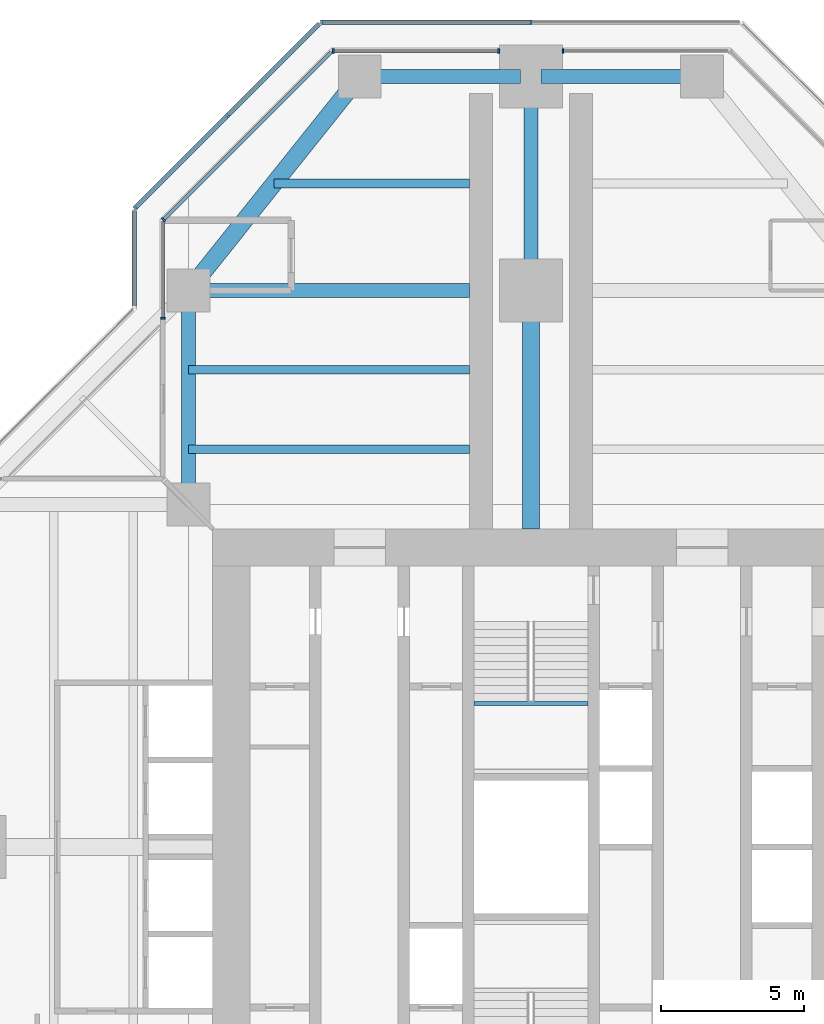
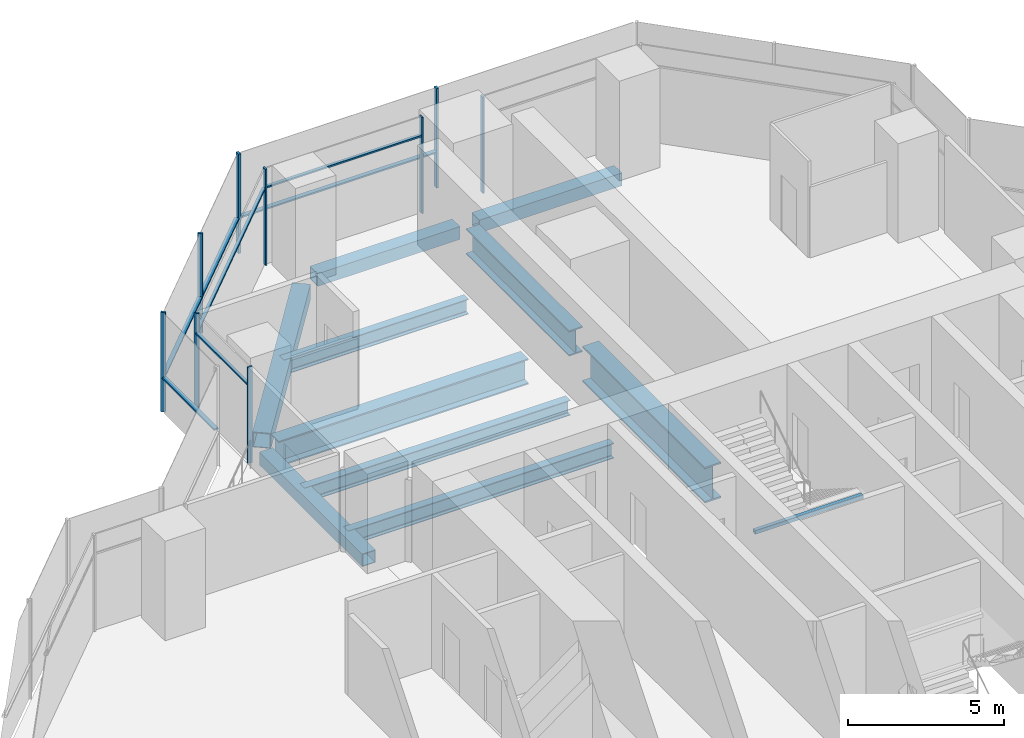
# One storey, part 7 of 17: 16 members, 11 beams, 7 elements without a shape of their own.
"""IFC4 building model written with IfcOpenShell, lengths in metres."""

from ifc_helpers import new_model, si_unit, direction, frame, origin, origin_2d, place, context, subcontext, project, spatial, rectangle, hollow_rectangle, i_section, extrude, material, material_profile, profile_set, type_object, element, aggregate, save


model = new_model("IFC4")

# Units and contexts
model_context = context("Model", 3, precision=1e-05, world=origin(), true_north=direction((0.0, 1.0)))
body_context = subcontext(model_context, "Body", "Model", "MODEL_VIEW")
ifc_project = project(units=[si_unit("LENGTHUNIT", "METRE"), si_unit("AREAUNIT", "SQUARE_METRE"), si_unit("VOLUMEUNIT", "CUBIC_METRE"), si_unit("PLANEANGLEUNIT", "RADIAN"), si_unit("MASSUNIT", "GRAM", prefix="KILO")], contexts=[model_context])

# Site, building, storey
site_placement = place(None, origin())
site = spatial("IfcSite", under=ifc_project, at=site_placement, CompositionType="ELEMENT")
building_placement = place(site_placement, origin())
building = spatial("IfcBuilding", under=site, at=building_placement, Name="Mizan Broadcast Tower", CompositionType="ELEMENT")
storey_placement = place(building_placement, frame((0.0, 0.0, 255.60009765625)))
storey = spatial("IfcBuildingStorey", under=building, at=storey_placement, Name="L60", CompositionType="ELEMENT", Elevation=255.60009765625)

# Beams
ifc_material_1 = material(Name="Steel S355", Category="steel")
ifc_material_profile_1 = material_profile(ifc_material_1, hollow_rectangle(XDim=0.5, YDim=0.5, WallThickness=0.030029296875, at=origin_2d()), Name="BOX 500x500x30")
ifc_profile_set_1 = profile_set([ifc_material_profile_1], Name="Steel S355")
beam_type_1 = type_object("IfcBeamType", Name="EDGE BEAM BOX 500x500x30", PredefinedType="SPANDREL", material=ifc_profile_set_1)
beam_1_placement = place(storey_placement, frame((5.639892578125, 27.0, -0.380126953125), z_axis=(-1.0, 0.0, 0.0), x_axis=(0.0, -1.0, 0.0)))
element("IfcBeam", 1, at=beam_1_placement, inside=storey, type_object=beam_type_1, Name="Edge beam BOX 500x500x30 L60 north arm", PredefinedType="SPANDREL", context=body_context, shape_type="SweptSolid", body=[
    extrude(hollow_rectangle(XDim=0.5, YDim=0.5, WallThickness=0.030029296875, at=origin_2d()), origin(), (0.0, 0.0, 1.0), 5.27978515625),
])
beam_2_placement = place(storey_placement, frame((-12.0, 12.449951171875, -0.380126953125), z_axis=(0.0, 1.0, 0.0), x_axis=(-1.0, 0.0, 0.0)))
element("IfcBeam", 2, at=beam_2_placement, inside=storey, type_object=beam_type_1, Name="Edge beam BOX 500x500x30 L60 north arm", PredefinedType="SPANDREL", context=body_context, shape_type="SweptSolid", body=[
    extrude(hollow_rectangle(XDim=0.5, YDim=0.5, WallThickness=0.030029296875, at=origin_2d()), origin(), (0.0, 0.0, 1.0), 6.60009765625),
])
beam_3_placement = place(storey_placement, frame((-5.639892578125, 27.0, -0.380126953125), z_axis=(1.0, 0.0, 0.0), x_axis=(0.0, 1.0, 0.0)))
element("IfcBeam", 3, at=beam_3_placement, inside=storey, type_object=beam_type_1, Name="Edge beam BOX 500x500x30 L60 north arm", PredefinedType="SPANDREL", context=body_context, shape_type="SweptSolid", body=[
    extrude(hollow_rectangle(XDim=0.5, YDim=0.5, WallThickness=0.030029296875, at=origin_2d()), origin(), (0.0, 0.0, 1.0), 5.27978515625),
])
ifc_material_2 = material(Name="Steel S355", Category="steel")
ifc_material_profile_2 = material_profile(ifc_material_2, hollow_rectangle(XDim=0.60009765625, YDim=0.60009765625, WallThickness=0.030029296875, at=origin_2d()), Name="BOX 600x600x30")
ifc_profile_set_2 = profile_set([ifc_material_profile_2], Name="Steel S355")
beam_type_2 = type_object("IfcBeamType", Name="EDGE BEAM BOX 600x600x30", PredefinedType="SPANDREL", material=ifc_profile_set_2)
beam_4_placement = place(storey_placement, frame((-11.639892578125, 19.949951171875, -0.43017578125), z_axis=(0.624673911726, 0.780885717636, 0.0), x_axis=(-0.780885717636, 0.624673911726, 0.0)))
element("IfcBeam", 4, at=beam_4_placement, inside=storey, type_object=beam_type_2, Name="Edge beam BOX 600x600x30 L60 north arm", PredefinedType="SPANDREL", context=body_context, shape_type="SweptSolid", body=[
    extrude(hollow_rectangle(XDim=0.60009765625, YDim=0.60009765625, WallThickness=0.030029296875, at=origin_2d()), origin(), (0.0, 0.0, 1.0), 8.4521484375),
])
ifc_material_3 = material(Name="Steel S460", Category="steel")
ifc_material_profile_3 = material_profile(ifc_material_3, i_section(OverallWidth=0.5, OverallDepth=1.0, WebThickness=0.02490234375, FlangeThickness=0.050048828125, at=origin_2d()), Name="WPG 1000x500")
ifc_profile_set_3 = profile_set([ifc_material_profile_3], Name="Steel S460")
beam_type_3 = type_object("IfcBeamType", Name="GIRDER WPG 1000x500", PredefinedType="BEAM", material=ifc_profile_set_3)
beam_5_placement = place(storey_placement, frame((0.0, 19.949951171875, -0.630126953125), z_axis=(0.0, 1.0, 0.0), x_axis=(-1.0, 0.0, 0.0)))
element("IfcBeam", 5, at=beam_5_placement, inside=storey, type_object=beam_type_3, Name="Girder WPG 1000x500 L60 north arm", PredefinedType="BEAM", context=body_context, shape_type="SweptSolid", body=[
    extrude(i_section(OverallWidth=0.5, OverallDepth=1.0, WebThickness=0.02490234375, FlangeThickness=0.050048828125, at=origin_2d()), origin(), (0.0, 0.0, 1.0), 6.60009765625),
])
beam_6_placement = place(storey_placement, frame((-11.408935546875, 19.5, -0.630126953125), z_axis=(1.0, 0.0, 0.0), x_axis=(0.0, 1.0, 0.0)))
element("IfcBeam", 6, at=beam_6_placement, inside=storey, type_object=beam_type_3, Name="Girder WPG 1000x500 L60 north arm", PredefinedType="BEAM", context=body_context, shape_type="SweptSolid", body=[
    extrude(i_section(OverallWidth=0.5, OverallDepth=1.0, WebThickness=0.02490234375, FlangeThickness=0.050048828125, at=origin_2d()), origin(), (0.0, 0.0, 1.0), 9.259033203125),
])
ifc_material_4 = material(Name="Steel S460", Category="steel")
ifc_material_profile_4 = material_profile(ifc_material_4, i_section(OverallWidth=0.60009765625, OverallDepth=1.39990234375, WebThickness=0.02490234375, FlangeThickness=0.06005859375, at=origin_2d()), Name="WPG 1400x600")
ifc_profile_set_4 = profile_set([ifc_material_profile_4], Name="Steel S460")
beam_type_4 = type_object("IfcBeamType", Name="GIRDER WPG 1400x600", PredefinedType="BEAM", material=ifc_profile_set_4)
beam_7_placement = place(storey_placement, frame((0.0, 11.14990234375, -0.830078125), z_axis=(0.0, 1.0, 0.0), x_axis=(-1.0, 0.0, 0.0)))
element("IfcBeam", 7, at=beam_7_placement, inside=storey, type_object=beam_type_4, Name="Girder WPG 1400x600 L60 north arm", PredefinedType="BEAM", context=body_context, shape_type="SweptSolid", body=[
    extrude(i_section(OverallWidth=0.60009765625, OverallDepth=1.39990234375, WebThickness=0.02490234375, FlangeThickness=0.06005859375, at=origin_2d()), origin(), (0.0, 0.0, 1.0), 7.84912109375),
])

# Curtain wall, member
ifc_material_5 = material(Name="Aluminium framed glazing", Category="aluminium")
curtain_wall_type_1 = type_object("IfcCurtainWallType", Name="INNER SKIN HIGH ZONE", PredefinedType="USERDEFINED", material=ifc_material_5)
curtain_wall_1_placement = place(storey_placement, origin())
curtain_wall_1 = element("IfcCurtainWall", 8, at=curtain_wall_1_placement, inside=storey, type_object=curtain_wall_type_1, Name="Inner skin high zone L60 N end", ObjectType="INNER SKIN HIGH ZONE", PredefinedType="USERDEFINED")
ifc_material_6 = material(Name="Aluminium, pale anodised", Category="aluminium")
ifc_material_profile_5 = material_profile(ifc_material_6, rectangle(XDim=0.159912109375, YDim=0.06005859375, at=origin_2d()), Name="MULLION 160x60")
ifc_profile_set_5 = profile_set([ifc_material_profile_5], Name="Aluminium, pale anodised")
member_type_1 = type_object("IfcMemberType", Name="INNER SKIN MULLION 60x160", PredefinedType="MULLION", material=ifc_profile_set_5)
member_1_placement = place(storey_placement, frame((1.1298828125, 27.89990234375, 0.0), z_axis=(0.0, 0.0, 1.0), x_axis=(0.0, -1.0, 0.0)))
member_1 = element("IfcMember", 9, at=member_1_placement, type_object=member_type_1, Name="Inner skin high zone L60 N end mullion 2", PredefinedType="MULLION", context=body_context, shape_type="SweptSolid", body=[
    extrude(rectangle(XDim=0.159912109375, YDim=0.06005859375, at=origin_2d()), origin(), (0.0, 0.0, 1.0), 3.77001953125),
])
aggregate(curtain_wall_1, [member_1])

# Curtain wall, members
curtain_wall_2_placement = place(storey_placement, origin())
curtain_wall_2 = element("IfcCurtainWall", 10, at=curtain_wall_2_placement, inside=storey, type_object=curtain_wall_type_1, Name="Inner skin high zone L60 N end", ObjectType="INNER SKIN HIGH ZONE", PredefinedType="USERDEFINED")
member_2_placement = place(storey_placement, frame((-1.1298828125, 27.89990234375, 0.0), z_axis=(0.0, 0.0, 1.0), x_axis=(0.0, -1.0, 0.0)))
member_2 = element("IfcMember", 11, at=member_2_placement, type_object=member_type_1, Name="Inner skin high zone L60 N end mullion 1", PredefinedType="MULLION", context=body_context, shape_type="SweptSolid", body=[
    extrude(rectangle(XDim=0.159912109375, YDim=0.06005859375, at=origin_2d()), origin(), (0.0, 0.0, 1.0), 3.77001953125),
])
member_3_placement = place(storey_placement, frame((-6.928466796875, 27.89990234375, 0.0), z_axis=(0.0, 0.0, 1.0), x_axis=(0.0, -1.0, 0.0)))
member_3 = element("IfcMember", 12, at=member_3_placement, type_object=member_type_1, Name="Inner skin high zone L60 N end mullion 2", PredefinedType="MULLION", context=body_context, shape_type="SweptSolid", body=[
    extrude(rectangle(XDim=0.159912109375, YDim=0.06005859375, at=origin_2d()), origin(), (0.0, 0.0, 1.0), 3.77001953125),
])

# Curtain wall, member
curtain_wall_3_placement = place(storey_placement, origin())
curtain_wall_3 = element("IfcCurtainWall", 13, at=curtain_wall_3_placement, inside=storey, type_object=curtain_wall_type_1, Name="Inner skin high zone L60 N chamfer", ObjectType="INNER SKIN HIGH ZONE", PredefinedType="USERDEFINED")
member_4_placement = place(storey_placement, frame((-12.87890625, 21.979736328125, 0.0), z_axis=(0.0, 0.0, 1.0), x_axis=(0.707106781187, -0.707106781187, 0.0)))
member_4 = element("IfcMember", 14, at=member_4_placement, type_object=member_type_1, Name="Inner skin high zone L60 N chamfer mullion 2", PredefinedType="MULLION", context=body_context, shape_type="SweptSolid", body=[
    extrude(rectangle(XDim=0.159912109375, YDim=0.06005859375, at=origin_2d()), origin(), (0.0, 0.0, 1.0), 3.77001953125),
])

curtain_wall_4_placement = place(storey_placement, origin())
curtain_wall_4 = element("IfcCurtainWall", 15, at=curtain_wall_4_placement, inside=storey, type_object=curtain_wall_type_1, Name="Inner skin high zone L60 N side", ObjectType="INNER SKIN HIGH ZONE", PredefinedType="USERDEFINED")
member_5_placement = place(storey_placement, frame((-12.89990234375, 18.530029296875, 0.0), z_axis=(0.0, 0.0, 1.0), x_axis=(1.0, 0.0, 0.0)))
member_5 = element("IfcMember", 16, at=member_5_placement, type_object=member_type_1, Name="Inner skin high zone L60 N side mullion 2", PredefinedType="MULLION", context=body_context, shape_type="SweptSolid", body=[
    extrude(rectangle(XDim=0.159912109375, YDim=0.06005859375, at=origin_2d()), origin(), (0.0, 0.0, 1.0), 3.77001953125),
])

# Member
ifc_material_7 = material(Name="Aluminium, pale anodised", Category="aluminium")
ifc_material_profile_6 = material_profile(ifc_material_7, rectangle(XDim=0.1201171875, YDim=0.06005859375, at=origin_2d()), Name="TRANSOM 120x60")
ifc_profile_set_6 = profile_set([ifc_material_profile_6], Name="Aluminium, pale anodised")
member_type_2 = type_object("IfcMemberType", Name="INNER SKIN TRANSOM 60x120", PredefinedType="USERDEFINED", material=ifc_profile_set_6)
member_6_placement = place(storey_placement, frame((-1.159912109375, 27.89990234375, 3.02978515625), z_axis=(-1.0, 0.0, 0.0), x_axis=(0.0, -1.0, 0.0)))
member_6 = element("IfcMember", 17, at=member_6_placement, type_object=member_type_2, Name="Inner skin high zone L60 N end transom 1.1", ObjectType="TRANSOM", PredefinedType="USERDEFINED", context=body_context, shape_type="SweptSolid", body=[
    extrude(rectangle(XDim=0.1201171875, YDim=0.06005859375, at=origin_2d()), origin(), (0.0, 0.0, 1.0), 5.73876953125),
])

aggregate(curtain_wall_2, [member_2, member_3, member_6])

member_7_placement = place(storey_placement, frame((-7.0009765625, 27.857666015625, 3.02978515625), z_axis=(-0.707106781187, -0.707106781187, 0.0), x_axis=(0.707106781187, -0.707106781187, 0.0)))
member_7 = element("IfcMember", 18, at=member_7_placement, type_object=member_type_2, Name="Inner skin high zone L60 N chamfer transom 1.1", ObjectType="TRANSOM", PredefinedType="USERDEFINED", context=body_context, shape_type="SweptSolid", body=[
    extrude(rectangle(XDim=0.1201171875, YDim=0.06005859375, at=origin_2d()), origin(), (0.0, 0.0, 1.0), 8.28271484375),
])

aggregate(curtain_wall_3, [member_4, member_7])

member_8_placement = place(storey_placement, frame((-12.89990234375, 21.898681640625, 3.02978515625), z_axis=(0.0, -1.0, 0.0), x_axis=(1.0, 0.0, 0.0)))
member_8 = element("IfcMember", 19, at=member_8_placement, type_object=member_type_2, Name="Inner skin high zone L60 N side transom 1.1", ObjectType="TRANSOM", PredefinedType="USERDEFINED", context=body_context, shape_type="SweptSolid", body=[
    extrude(rectangle(XDim=0.1201171875, YDim=0.06005859375, at=origin_2d()), origin(), (0.0, 0.0, 1.0), 3.338623046875),
])

aggregate(curtain_wall_4, [member_5, member_8])

# Beam
ifc_material_8 = material(Name="Steel S355", Category="steel")
ifc_material_profile_7 = material_profile(ifc_material_8, hollow_rectangle(XDim=0.14990234375, YDim=0.14990234375, WallThickness=0.008056640625, InnerFilletRadius=0.008056640625, OuterFilletRadius=0.011962890625, at=origin_2d()), Name="SHS 150x150x8")
ifc_profile_set_7 = profile_set([ifc_material_profile_7], Name="Steel S355")
beam_type_5 = type_object("IfcBeamType", Name="LANDING TRIMMER SHS 150x150x8", PredefinedType="BEAM", material=ifc_profile_set_7)
beam_8_placement = place(storey_placement, frame((2.0, 5.02490234375, 1.6748046875), z_axis=(-1.0, 0.0, 0.0), x_axis=(0.0, -1.0, 0.0)))
element("IfcBeam", 20, at=beam_8_placement, inside=storey, type_object=beam_type_5, Name="Stair B landing trimmer L60", PredefinedType="BEAM", context=body_context, shape_type="SweptSolid", body=[
    extrude(hollow_rectangle(XDim=0.14990234375, YDim=0.14990234375, WallThickness=0.008056640625, InnerFilletRadius=0.008056640625, OuterFilletRadius=0.011962890625, at=origin_2d()), origin(), (0.0, 0.0, 1.0), 4.0),
])

# Curtain wall, members
ifc_material_9 = material(Name="Aluminium framed glazing", Category="aluminium")
curtain_wall_type_2 = type_object("IfcCurtainWallType", Name="OUTER SKIN", PredefinedType="USERDEFINED", material=ifc_material_9)
curtain_wall_5_placement = place(storey_placement, origin())
curtain_wall_5 = element("IfcCurtainWall", 21, at=curtain_wall_5_placement, inside=storey, type_object=curtain_wall_type_2, Name="Outer skin L60 N end", ObjectType="OUTER SKIN", PredefinedType="USERDEFINED")
ifc_material_10 = material(Name="Aluminium, pale anodised", Category="aluminium")
ifc_material_profile_8 = material_profile(ifc_material_10, rectangle(XDim=0.159912109375, YDim=0.080078125, at=origin_2d()), Name="MULLION 160x80")
ifc_profile_set_8 = profile_set([ifc_material_profile_8], Name="Aluminium, pale anodised")
member_type_3 = type_object("IfcMemberType", Name="OUTER SKIN MULLION 80x160", PredefinedType="MULLION", material=ifc_profile_set_8)
member_9_placement = place(storey_placement, frame((0.0, 28.89990234375, 0.0), z_axis=(0.0, 0.0, 1.0), x_axis=(0.0, -1.0, 0.0)))
member_9 = element("IfcMember", 22, at=member_9_placement, type_object=member_type_3, Name="Outer skin L60 N end mullion 2", PredefinedType="MULLION", context=body_context, shape_type="SweptSolid", body=[
    extrude(rectangle(XDim=0.159912109375, YDim=0.080078125, at=origin_2d()), origin(), (0.0, 0.0, 1.0), 3.89990234375),
])
member_10_placement = place(storey_placement, frame((-7.332763671875, 28.89990234375, 0.0), z_axis=(0.0, 0.0, 1.0), x_axis=(0.0, -1.0, 0.0)))
member_10 = element("IfcMember", 23, at=member_10_placement, type_object=member_type_3, Name="Outer skin L60 N end mullion 3", PredefinedType="MULLION", context=body_context, shape_type="SweptSolid", body=[
    extrude(rectangle(XDim=0.159912109375, YDim=0.080078125, at=origin_2d()), origin(), (0.0, 0.0, 1.0), 3.89990234375),
])

curtain_wall_6_placement = place(storey_placement, origin())
curtain_wall_6 = element("IfcCurtainWall", 24, at=curtain_wall_6_placement, inside=storey, type_object=curtain_wall_type_2, Name="Outer skin L60 N chamfer", ObjectType="OUTER SKIN", PredefinedType="USERDEFINED")
member_11_placement = place(storey_placement, frame((-10.636474609375, 25.636474609375, 0.0), z_axis=(0.0, 0.0, 1.0), x_axis=(0.707106781187, -0.707106781187, 0.0)))
member_11 = element("IfcMember", 25, at=member_11_placement, type_object=member_type_3, Name="Outer skin L60 N chamfer mullion 2", PredefinedType="MULLION", context=body_context, shape_type="SweptSolid", body=[
    extrude(rectangle(XDim=0.159912109375, YDim=0.080078125, at=origin_2d()), origin(), (0.0, 0.0, 1.0), 3.89990234375),
])
member_12_placement = place(storey_placement, frame((-13.871826171875, 22.401123046875, 0.0), z_axis=(0.0, 0.0, 1.0), x_axis=(0.707106781187, -0.707106781187, 0.0)))
member_12 = element("IfcMember", 26, at=member_12_placement, type_object=member_type_3, Name="Outer skin L60 N chamfer mullion 3", PredefinedType="MULLION", context=body_context, shape_type="SweptSolid", body=[
    extrude(rectangle(XDim=0.159912109375, YDim=0.080078125, at=origin_2d()), origin(), (0.0, 0.0, 1.0), 3.89990234375),
])

# Member
ifc_material_11 = material(Name="Aluminium, pale anodised", Category="aluminium")
ifc_material_profile_9 = material_profile(ifc_material_11, rectangle(XDim=0.159912109375, YDim=0.06005859375, at=origin_2d()), Name="TRANSOM 160x60")
ifc_profile_set_9 = profile_set([ifc_material_profile_9], Name="Aluminium, pale anodised")
member_type_4 = type_object("IfcMemberType", Name="OUTER SKIN TRANSOM 60x160", PredefinedType="USERDEFINED", material=ifc_profile_set_9)
member_13_placement = place(storey_placement, frame((-0.0400390625, 28.89990234375, 1.39990234375), z_axis=(-1.0, 0.0, 0.0), x_axis=(0.0, -1.0, 0.0)))
member_13 = element("IfcMember", 27, at=member_13_placement, type_object=member_type_4, Name="Outer skin L60 N end transom 2.1", ObjectType="TRANSOM", PredefinedType="USERDEFINED", context=body_context, shape_type="SweptSolid", body=[
    extrude(rectangle(XDim=0.159912109375, YDim=0.06005859375, at=origin_2d()), origin(), (0.0, 0.0, 1.0), 7.252685546875),
])

aggregate(curtain_wall_5, [member_9, member_10, member_13])

member_14_placement = place(storey_placement, frame((-7.429443359375, 28.843505859375, 1.39990234375), z_axis=(-0.707106781187, -0.707106781187, 0.0), x_axis=(0.707106781187, -0.707106781187, 0.0)))
member_14 = element("IfcMember", 28, at=member_14_placement, type_object=member_type_4, Name="Outer skin L60 N chamfer transom 1.1", ObjectType="TRANSOM", PredefinedType="USERDEFINED", context=body_context, shape_type="SweptSolid", body=[
    extrude(rectangle(XDim=0.159912109375, YDim=0.06005859375, at=origin_2d()), origin(), (0.0, 0.0, 1.0), 4.495361328125),
])

member_15_placement = place(storey_placement, frame((-10.664794921875, 25.608154296875, 1.39990234375), z_axis=(-0.707106781187, -0.707106781187, 0.0), x_axis=(0.707106781187, -0.707106781187, 0.0)))
member_15 = element("IfcMember", 29, at=member_15_placement, type_object=member_type_4, Name="Outer skin L60 N chamfer transom 2.1", ObjectType="TRANSOM", PredefinedType="USERDEFINED", context=body_context, shape_type="SweptSolid", body=[
    extrude(rectangle(XDim=0.159912109375, YDim=0.06005859375, at=origin_2d()), origin(), (0.0, 0.0, 1.0), 4.495361328125),
])

aggregate(curtain_wall_6, [member_11, member_12, member_14, member_15])

# Curtain wall, member
curtain_wall_7_placement = place(storey_placement, origin())
curtain_wall_7 = element("IfcCurtainWall", 30, at=curtain_wall_7_placement, inside=storey, type_object=curtain_wall_type_2, Name="Outer skin L60 N side", ObjectType="OUTER SKIN", PredefinedType="USERDEFINED")
member_16_placement = place(storey_placement, frame((-13.89990234375, 22.292724609375, 1.39990234375), z_axis=(0.0, -1.0, 0.0), x_axis=(1.0, 0.0, 0.0)))
member_16 = element("IfcMember", 31, at=member_16_placement, type_object=member_type_4, Name="Outer skin L60 N side transom 1.1", ObjectType="TRANSOM", PredefinedType="USERDEFINED", context=body_context, shape_type="SweptSolid", body=[
    extrude(rectangle(XDim=0.159912109375, YDim=0.06005859375, at=origin_2d()), origin(), (0.0, 0.0, 1.0), 3.33984375),
])
aggregate(curtain_wall_7, [member_16])

# Beams
ifc_material_12 = material(Name="Steel S355", Category="steel")
ifc_material_profile_10 = material_profile(ifc_material_12, i_section(OverallWidth=0.300048828125, OverallDepth=0.590087890625, WebThickness=0.012939453125, FlangeThickness=0.02490234375, FilletRadius=0.027099609375, at=origin_2d()), Name="HEA 600")
ifc_profile_set_10 = profile_set([ifc_material_profile_10], Name="Steel S355")
beam_type_6 = type_object("IfcBeamType", Name="SECONDARY BEAM HEA 600", PredefinedType="JOIST", material=ifc_profile_set_10)
for number, where, z_axis, x_axis, name in (
    (32, (-12.0, 13.933349609375, -0.425048828125), (1.0, 0.0, 0.0), (0.0, 1.0, 0.0), "Secondary beam HEA 600 L60 north arm"),
    (33, (-12.0, 16.716552734375, -0.425048828125), (1.0, 0.0, 0.0), (0.0, 1.0, 0.0), "Secondary beam HEA 600 L60 north arm"),
):
    element("IfcBeam", number, at=place(storey_placement, frame(where, z_axis=z_axis, x_axis=x_axis)), inside=storey, type_object=beam_type_6, Name=name, PredefinedType="JOIST", context=body_context, shape_type="SweptSolid", body=[
        extrude(i_section(OverallWidth=0.300048828125, OverallDepth=0.590087890625, WebThickness=0.012939453125, FlangeThickness=0.02490234375, FilletRadius=0.027099609375, at=origin_2d()), origin(), (0.0, 0.0, 1.0), 9.85009765625),
    ])
beam_9_placement = place(storey_placement, frame((-9.0, 23.25, -0.425048828125), z_axis=(1.0, 0.0, 0.0), x_axis=(0.0, 1.0, 0.0)))
element("IfcBeam", 34, at=beam_9_placement, inside=storey, type_object=beam_type_6, Name="Secondary beam HEA 600 L60 north arm", PredefinedType="JOIST", context=body_context, shape_type="SweptSolid", body=[
    extrude(i_section(OverallWidth=0.300048828125, OverallDepth=0.590087890625, WebThickness=0.012939453125, FlangeThickness=0.02490234375, FilletRadius=0.027099609375, at=origin_2d()), origin(), (0.0, 0.0, 1.0), 6.85009765625),
])

save(model, "model.ifc")
